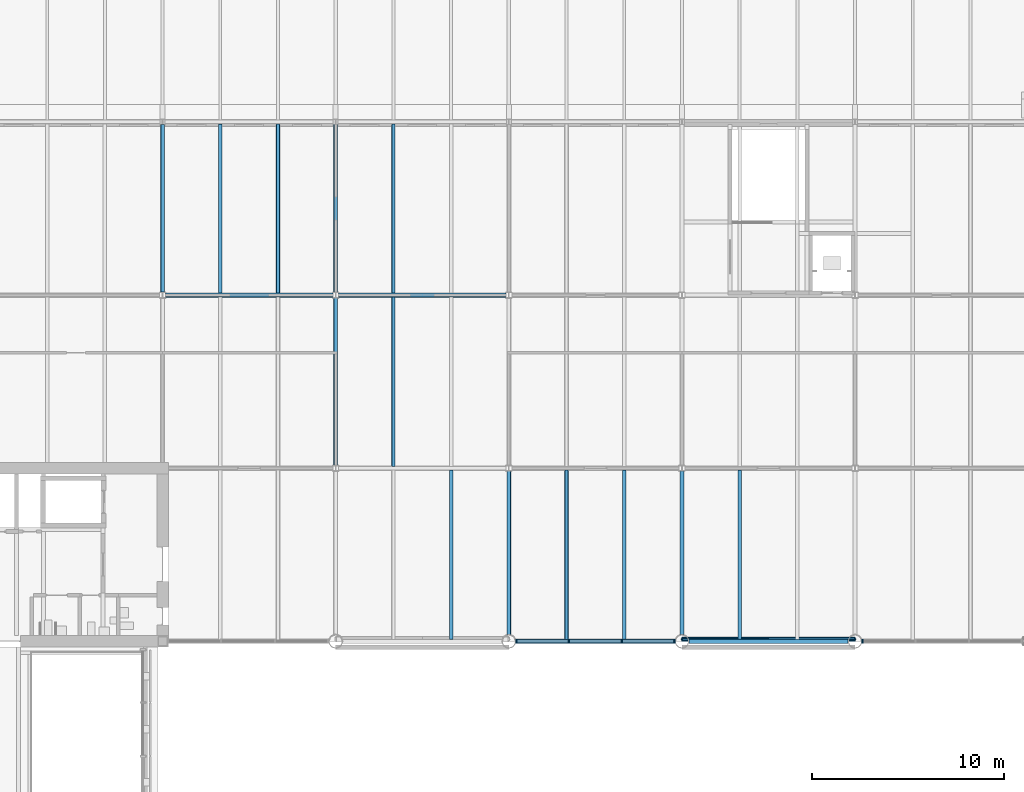
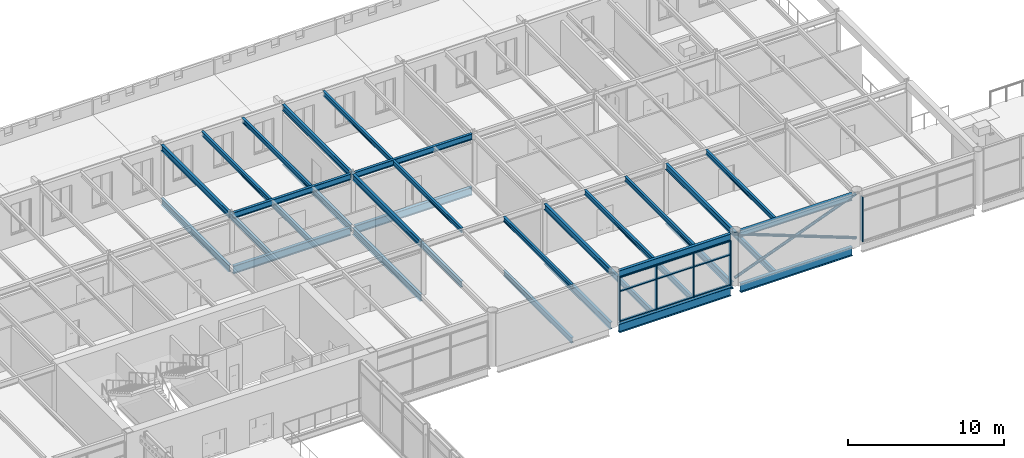
# One storey, part 36 of 123: 34 beams, 16 members, 2 elements without a shape of their own.
"""IFC4 building model written with IfcOpenShell, lengths in metres."""

from ifc_helpers import new_model, si_unit, direction, frame, origin, origin_2d, place, context, subcontext, project, spatial, rectangle, hollow_circle, i_section, extrude, material, material_profile, profile_set, type_object, element, aggregate, save


model = new_model("IFC4")

# Units and contexts
model_context = context("Model", 3, precision=1e-05, world=origin(), true_north=direction((0.0, 1.0)))
body_context = subcontext(model_context, "Body", "Model", "MODEL_VIEW")
ifc_project = project(units=[si_unit("LENGTHUNIT", "METRE"), si_unit("AREAUNIT", "SQUARE_METRE"), si_unit("VOLUMEUNIT", "CUBIC_METRE"), si_unit("PLANEANGLEUNIT", "RADIAN"), si_unit("MASSUNIT", "GRAM", prefix="KILO")], contexts=[model_context])

# Site, building, storey
site_placement = place(None, origin())
site = spatial("IfcSite", under=ifc_project, at=site_placement, CompositionType="ELEMENT")
building_placement = place(site_placement, origin())
building = spatial("IfcBuilding", under=site, at=building_placement, Name="Baradari Gate Terminus", CompositionType="ELEMENT")
storey_placement = place(building_placement, frame((0.0, 0.0, 7.5)))
storey = spatial("IfcBuildingStorey", under=building, at=storey_placement, Name="L01", CompositionType="ELEMENT", Elevation=7.5)

# Members
ifc_material_1 = material(Name="Steel S355", Category="steel")
ifc_material_profile_1 = material_profile(ifc_material_1, hollow_circle(Radius=0.109619140625, WallThickness=0.012451171875, at=origin_2d()), Name="CHS 219.1x12.5")
ifc_profile_set_1 = profile_set([ifc_material_profile_1], Name="Steel S355")
member_type_1 = type_object("IfcMemberType", Name="Column bracing X04 CHS 219.1x12.5", PredefinedType="BRACE", material=ifc_profile_set_1)
for number, where, z_axis, x_axis, name in (
    (1, (117.0, 81.10009765625, 0.35009765625), (0.933747810426, 0.0, 0.357931594757), (0.0, 1.0, 0.0), "Column bracing 14-15 line K L01"),
    (2, (126.0, 81.10009765625, 0.35009765625), (-0.933747810426, 0.0, 0.357931594757), (0.0, -1.0, 0.0), "Column bracing 14-15 line K L01"),
):
    element("IfcMember", number, at=place(storey_placement, frame(where, z_axis=z_axis, x_axis=x_axis)), inside=storey, type_object=member_type_1, Name=name, PredefinedType="BRACE", context=body_context, shape_type="SweptSolid", body=[
        extrude(hollow_circle(Radius=0.109619140625, WallThickness=0.012451171875, at=origin_2d()), origin(), (0.0, 0.0, 1.0), 9.638671875),
    ])

# Curtain wall, members
ifc_material_2 = material(Name="Aluminium 6063-T6", Category="aluminium")
curtain_wall_type = type_object("IfcCurtainWallType", Name="Curtain wall CW-13 concourse gallery glazing", PredefinedType="NOTDEFINED", material=ifc_material_2)
curtain_wall_1_placement = place(storey_placement, origin())
curtain_wall_1 = element("IfcCurtainWall", 3, at=curtain_wall_1_placement, inside=storey, type_object=curtain_wall_type, Name="Glazed curtain wall CW-13 HS bay 13 L01", PredefinedType="NOTDEFINED")
ifc_material_3 = material(Name="Aluminium 6063-T6", Category="aluminium")
ifc_material_profile_2 = material_profile(ifc_material_3, rectangle(XDim=0.22509765625, YDim=0.080078125, at=origin_2d()), Name="CM-13 80X225")
ifc_profile_set_2 = profile_set([ifc_material_profile_2], Name="Aluminium 6063-T6")
member_type_2 = type_object("IfcMemberType", Name="Curtain wall mullion CM-13 80x225", PredefinedType="MULLION", material=ifc_profile_set_2)
member_1_placement = place(storey_placement, frame((108.3955078125, 81.0, 0.0), z_axis=(0.0, 0.0, 1.0), x_axis=(0.0, 1.0, 0.0)))
member_1 = element("IfcMember", 4, at=member_1_placement, type_object=member_type_2, Name="CW-13 mullion 1", PredefinedType="MULLION", context=body_context, shape_type="SweptSolid", body=[
    extrude(rectangle(XDim=0.22509765625, YDim=0.080078125, at=origin_2d()), origin(), (0.0, 0.0, 1.0), 3.516845703125),
])
member_2_placement = place(storey_placement, frame((111.118408203125, 81.0, 0.0), z_axis=(0.0, 0.0, 1.0), x_axis=(0.0, 1.0, 0.0)))
member_2 = element("IfcMember", 5, at=member_2_placement, type_object=member_type_2, Name="CW-13 mullion 2", PredefinedType="MULLION", context=body_context, shape_type="SweptSolid", body=[
    extrude(rectangle(XDim=0.22509765625, YDim=0.080078125, at=origin_2d()), origin(), (0.0, 0.0, 1.0), 3.516845703125),
])
member_3_placement = place(storey_placement, frame((113.881591796875, 81.0, 0.0), z_axis=(0.0, 0.0, 1.0), x_axis=(0.0, 1.0, 0.0)))
member_3 = element("IfcMember", 6, at=member_3_placement, type_object=member_type_2, Name="CW-13 mullion 3", PredefinedType="MULLION", context=body_context, shape_type="SweptSolid", body=[
    extrude(rectangle(XDim=0.22509765625, YDim=0.080078125, at=origin_2d()), origin(), (0.0, 0.0, 1.0), 3.516845703125),
])
member_4_placement = place(storey_placement, frame((116.6044921875, 81.0, 0.0), z_axis=(0.0, 0.0, 1.0), x_axis=(0.0, 1.0, 0.0)))
member_4 = element("IfcMember", 7, at=member_4_placement, type_object=member_type_2, Name="CW-13 mullion 4", PredefinedType="MULLION", context=body_context, shape_type="SweptSolid", body=[
    extrude(rectangle(XDim=0.22509765625, YDim=0.080078125, at=origin_2d()), origin(), (0.0, 0.0, 1.0), 3.516845703125),
])

# Curtain wall, member
curtain_wall_2_placement = place(storey_placement, origin())
curtain_wall_2 = element("IfcCurtainWall", 8, at=curtain_wall_2_placement, inside=storey, type_object=curtain_wall_type, Name="Glazed curtain wall CW-13 HS bay 15 L01", PredefinedType="NOTDEFINED")
member_5_placement = place(storey_placement, frame((126.3955078125, 81.0, 0.0), z_axis=(0.0, 0.0, 1.0), x_axis=(0.0, 1.0, 0.0)))
member_5 = element("IfcMember", 9, at=member_5_placement, type_object=member_type_2, Name="CW-13 mullion 1", PredefinedType="MULLION", context=body_context, shape_type="SweptSolid", body=[
    extrude(rectangle(XDim=0.22509765625, YDim=0.080078125, at=origin_2d()), origin(), (0.0, 0.0, 1.0), 3.516845703125),
])
aggregate(curtain_wall_2, [member_5])

# Member
ifc_material_4 = material(Name="Aluminium 6063-T6", Category="aluminium")
ifc_material_profile_3 = material_profile(ifc_material_4, rectangle(XDim=0.159912109375, YDim=0.080078125, at=origin_2d()), Name="CT-13 80X160")
ifc_profile_set_3 = profile_set([ifc_material_profile_3], Name="Aluminium 6063-T6")
member_type_3 = type_object("IfcMemberType", Name="Curtain wall transom CT-13 80x160", PredefinedType="USERDEFINED", material=ifc_profile_set_3)
member_6_placement = place(storey_placement, frame((108.435546875, 81.0, 0.0400390625), z_axis=(1.0, 0.0, 0.0), x_axis=(0.0, 1.0, 0.0)))
member_6 = element("IfcMember", 10, at=member_6_placement, type_object=member_type_3, Name="CW-13 transom 1.1", ObjectType="TRANSOM", PredefinedType="USERDEFINED", context=body_context, shape_type="SweptSolid", body=[
    extrude(rectangle(XDim=0.159912109375, YDim=0.080078125, at=origin_2d()), origin(), (0.0, 0.0, 1.0), 2.64306640625),
])

member_7_placement = place(storey_placement, frame((108.435546875, 81.0, 2.39990234375), z_axis=(1.0, 0.0, 0.0), x_axis=(0.0, 1.0, 0.0)))
member_7 = element("IfcMember", 11, at=member_7_placement, type_object=member_type_3, Name="CW-13 transom 1.2", ObjectType="TRANSOM", PredefinedType="USERDEFINED", context=body_context, shape_type="SweptSolid", body=[
    extrude(rectangle(XDim=0.159912109375, YDim=0.080078125, at=origin_2d()), origin(), (0.0, 0.0, 1.0), 2.64306640625),
])

member_8_placement = place(storey_placement, frame((108.435546875, 81.0, 3.476806640625), z_axis=(1.0, 0.0, 0.0), x_axis=(0.0, 1.0, 0.0)))
member_8 = element("IfcMember", 12, at=member_8_placement, type_object=member_type_3, Name="CW-13 transom 1.3", ObjectType="TRANSOM", PredefinedType="USERDEFINED", context=body_context, shape_type="SweptSolid", body=[
    extrude(rectangle(XDim=0.159912109375, YDim=0.080078125, at=origin_2d()), origin(), (0.0, 0.0, 1.0), 2.64306640625),
])

member_9_placement = place(storey_placement, frame((111.158447265625, 81.0, 0.0400390625), z_axis=(1.0, 0.0, 0.0), x_axis=(0.0, 1.0, 0.0)))
member_9 = element("IfcMember", 13, at=member_9_placement, type_object=member_type_3, Name="CW-13 transom 2.1", ObjectType="TRANSOM", PredefinedType="USERDEFINED", context=body_context, shape_type="SweptSolid", body=[
    extrude(rectangle(XDim=0.159912109375, YDim=0.080078125, at=origin_2d()), origin(), (0.0, 0.0, 1.0), 2.68310546875),
])

member_10_placement = place(storey_placement, frame((111.158447265625, 81.0, 2.39990234375), z_axis=(1.0, 0.0, 0.0), x_axis=(0.0, 1.0, 0.0)))
member_10 = element("IfcMember", 14, at=member_10_placement, type_object=member_type_3, Name="CW-13 transom 2.2", ObjectType="TRANSOM", PredefinedType="USERDEFINED", context=body_context, shape_type="SweptSolid", body=[
    extrude(rectangle(XDim=0.159912109375, YDim=0.080078125, at=origin_2d()), origin(), (0.0, 0.0, 1.0), 2.68310546875),
])

member_11_placement = place(storey_placement, frame((111.158447265625, 81.0, 3.476806640625), z_axis=(1.0, 0.0, 0.0), x_axis=(0.0, 1.0, 0.0)))
member_11 = element("IfcMember", 15, at=member_11_placement, type_object=member_type_3, Name="CW-13 transom 2.3", ObjectType="TRANSOM", PredefinedType="USERDEFINED", context=body_context, shape_type="SweptSolid", body=[
    extrude(rectangle(XDim=0.159912109375, YDim=0.080078125, at=origin_2d()), origin(), (0.0, 0.0, 1.0), 2.68310546875),
])

member_12_placement = place(storey_placement, frame((113.92138671875, 81.0, 0.0400390625), z_axis=(1.0, 0.0, 0.0), x_axis=(0.0, 1.0, 0.0)))
member_12 = element("IfcMember", 16, at=member_12_placement, type_object=member_type_3, Name="CW-13 transom 3.1", ObjectType="TRANSOM", PredefinedType="USERDEFINED", context=body_context, shape_type="SweptSolid", body=[
    extrude(rectangle(XDim=0.159912109375, YDim=0.080078125, at=origin_2d()), origin(), (0.0, 0.0, 1.0), 2.64306640625),
])

member_13_placement = place(storey_placement, frame((113.92138671875, 81.0, 2.39990234375), z_axis=(1.0, 0.0, 0.0), x_axis=(0.0, 1.0, 0.0)))
member_13 = element("IfcMember", 17, at=member_13_placement, type_object=member_type_3, Name="CW-13 transom 3.2", ObjectType="TRANSOM", PredefinedType="USERDEFINED", context=body_context, shape_type="SweptSolid", body=[
    extrude(rectangle(XDim=0.159912109375, YDim=0.080078125, at=origin_2d()), origin(), (0.0, 0.0, 1.0), 2.64306640625),
])

member_14_placement = place(storey_placement, frame((113.92138671875, 81.0, 3.476806640625), z_axis=(1.0, 0.0, 0.0), x_axis=(0.0, 1.0, 0.0)))
member_14 = element("IfcMember", 18, at=member_14_placement, type_object=member_type_3, Name="CW-13 transom 3.3", ObjectType="TRANSOM", PredefinedType="USERDEFINED", context=body_context, shape_type="SweptSolid", body=[
    extrude(rectangle(XDim=0.159912109375, YDim=0.080078125, at=origin_2d()), origin(), (0.0, 0.0, 1.0), 2.64306640625),
])

aggregate(curtain_wall_1, [member_1, member_2, member_3, member_4, member_6, member_7, member_8, member_9, member_10, member_11, member_12, member_13, member_14])

# Beams
ifc_material_5 = material(Name="Steel S355", Category="steel")
ifc_material_profile_4 = material_profile(ifc_material_5, i_section(OverallWidth=0.210693359375, OverallDepth=0.53955078125, WebThickness=0.01171875, FlangeThickness=0.018798828125, FilletRadius=0.0126953125, at=origin_2d()), Name="UB 533x210x109")
ifc_profile_set_4 = profile_set([ifc_material_profile_4], Name="Steel S355")
beam_type_1 = type_object("IfcBeamType", Name="Head-house cross girder B12 UB 533x210x109", PredefinedType="BEAM", material=ifc_profile_set_4)
beam_1_placement = place(storey_placement, frame((90.0, 99.1572265625, -0.399658203125), z_axis=(0.0, 1.0, 0.0), x_axis=(-1.0, 0.0, 0.0)))
element("IfcBeam", 19, at=beam_1_placement, inside=storey, type_object=beam_type_1, Name="Head-house cross girder B12 11:99.157-107.87 L01", PredefinedType="BEAM", context=body_context, shape_type="SweptSolid", body=[
    extrude(i_section(OverallWidth=0.210693359375, OverallDepth=0.53955078125, WebThickness=0.01171875, FlangeThickness=0.018798828125, FilletRadius=0.0126953125, at=origin_2d()), origin(), (0.0, 0.0, 1.0), 8.712646484375),
])
beam_2_placement = place(storey_placement, frame((99.0, 90.1572265625, -0.399658203125), z_axis=(0.0, 1.0, 0.0), x_axis=(-1.0, 0.0, 0.0)))
element("IfcBeam", 20, at=beam_2_placement, inside=storey, type_object=beam_type_1, Name="Head-house cross girder B12 12:90.157-98.843 L01", PredefinedType="BEAM", context=body_context, shape_type="SweptSolid", body=[
    extrude(i_section(OverallWidth=0.210693359375, OverallDepth=0.53955078125, WebThickness=0.01171875, FlangeThickness=0.018798828125, FilletRadius=0.0126953125, at=origin_2d()), origin(), (0.0, 0.0, 1.0), 8.685546875),
])
beam_3_placement = place(storey_placement, frame((99.0, 99.1572265625, -0.399658203125), z_axis=(0.0, 1.0, 0.0), x_axis=(-1.0, 0.0, 0.0)))
element("IfcBeam", 21, at=beam_3_placement, inside=storey, type_object=beam_type_1, Name="Head-house cross girder B12 12:99.157-107.87 L01", PredefinedType="BEAM", context=body_context, shape_type="SweptSolid", body=[
    extrude(i_section(OverallWidth=0.210693359375, OverallDepth=0.53955078125, WebThickness=0.01171875, FlangeThickness=0.018798828125, FilletRadius=0.0126953125, at=origin_2d()), origin(), (0.0, 0.0, 1.0), 8.712646484375),
])
for number, where, z_axis, x_axis, name in (
    (22, (108.0, 81.35546875, -0.399658203125), (0.0, 1.0, 0.0), (-1.0, 0.0, 0.0), "Head-house cross girder B12 13:81.356-89.843 L01"),
    (23, (117.0, 81.35546875, -0.399658203125), (0.0, 1.0, 0.0), (-1.0, 0.0, 0.0), "Head-house cross girder B12 14:81.356-89.843 L01"),
):
    element("IfcBeam", number, at=place(storey_placement, frame(where, z_axis=z_axis, x_axis=x_axis)), inside=storey, type_object=beam_type_1, Name=name, PredefinedType="BEAM", context=body_context, shape_type="SweptSolid", body=[
        extrude(i_section(OverallWidth=0.210693359375, OverallDepth=0.53955078125, WebThickness=0.01171875, FlangeThickness=0.018798828125, FilletRadius=0.0126953125, at=origin_2d()), origin(), (0.0, 0.0, 1.0), 8.4873046875),
    ])
ifc_material_6 = material(Name="Steel S355", Category="steel")
ifc_material_profile_5 = material_profile(ifc_material_6, i_section(OverallWidth=0.2529296875, OverallDepth=0.677978515625, WebThickness=0.01171875, FlangeThickness=0.01611328125, FilletRadius=0.01513671875, at=origin_2d()), Name="UB 686x254x125")
ifc_profile_set_5 = profile_set([ifc_material_profile_5], Name="Steel S355")
beam_type_2 = type_object("IfcBeamType", Name="Head-house edge girder B07 UB 686x254x125", PredefinedType="BEAM", material=ifc_profile_set_5)
for number, where, z_axis, x_axis, name in (
    (24, (108.35546875, 81.0, -0.468994140625), (1.0, 0.0, 0.0), (0.0, 1.0, 0.0), "Head-house edge girder B07 K:108.356-116.644 L01"),
    (25, (117.35546875, 81.0, -0.468994140625), (1.0, 0.0, 0.0), (0.0, 1.0, 0.0), "Head-house edge girder B07 K:117.356-125.644 L01"),
):
    element("IfcBeam", number, at=place(storey_placement, frame(where, z_axis=z_axis, x_axis=x_axis)), inside=storey, type_object=beam_type_2, Name=name, PredefinedType="BEAM", context=body_context, shape_type="SweptSolid", body=[
        extrude(i_section(OverallWidth=0.2529296875, OverallDepth=0.677978515625, WebThickness=0.01171875, FlangeThickness=0.01611328125, FilletRadius=0.01513671875, at=origin_2d()), origin(), (0.0, 0.0, 1.0), 8.2890625),
    ])
ifc_material_7 = material(Name="Steel S355", Category="steel")
ifc_material_profile_6 = material_profile(ifc_material_7, i_section(OverallWidth=0.22900390625, OverallDepth=0.6123046875, WebThickness=0.011962890625, FlangeThickness=0.01953125, FilletRadius=0.0126953125, at=origin_2d()), Name="UB 610x229x125")
ifc_profile_set_6 = profile_set([ifc_material_profile_6], Name="Steel S355")
beam_type_3 = type_object("IfcBeamType", Name="Head-house girder B09 UB 610x229x125", PredefinedType="BEAM", material=ifc_profile_set_6)
for number, where, z_axis, x_axis, name in (
    (26, (90.15380859375, 99.0, -0.43603515625), (1.0, 0.0, 0.0), (0.0, 1.0, 0.0), "Head-house girder B09 M:90.154-98.846 L01"),
    (27, (99.15380859375, 99.0, -0.43603515625), (1.0, 0.0, 0.0), (0.0, 1.0, 0.0), "Head-house girder B09 M:99.154-107.846 L01"),
):
    element("IfcBeam", number, at=place(storey_placement, frame(where, z_axis=z_axis, x_axis=x_axis)), inside=storey, type_object=beam_type_3, Name=name, PredefinedType="BEAM", context=body_context, shape_type="SweptSolid", body=[
        extrude(i_section(OverallWidth=0.22900390625, OverallDepth=0.6123046875, WebThickness=0.011962890625, FlangeThickness=0.01953125, FilletRadius=0.0126953125, at=origin_2d()), origin(), (0.0, 0.0, 1.0), 8.6923828125),
    ])
ifc_material_8 = material(Name="Steel S355", Category="steel")
ifc_material_profile_7 = material_profile(ifc_material_8, i_section(OverallWidth=0.1904296875, OverallDepth=0.45703125, WebThickness=0.009033203125, FlangeThickness=0.014404296875, FilletRadius=0.01025390625, at=origin_2d()), Name="UB 457x191x74")
ifc_profile_set_7 = profile_set([ifc_material_profile_7], Name="Steel S355")
beam_type_4 = type_object("IfcBeamType", Name="Head-house roof cross girder B51 UB 457x191x74", PredefinedType="BEAM", material=ifc_profile_set_7)
beam_4_placement = place(storey_placement, frame((90.0, 99.1572265625, 3.821533203125), z_axis=(0.0, 1.0, 0.0), x_axis=(-1.0, 0.0, 0.0)))
element("IfcBeam", 28, at=beam_4_placement, inside=storey, type_object=beam_type_4, Name="Head-house roof cross girder B51 11:99.157-107.87 L01", PredefinedType="BEAM", context=body_context, shape_type="SweptSolid", body=[
    extrude(i_section(OverallWidth=0.1904296875, OverallDepth=0.45703125, WebThickness=0.009033203125, FlangeThickness=0.014404296875, FilletRadius=0.01025390625, at=origin_2d()), origin(), (0.0, 0.0, 1.0), 8.712646484375),
])
beam_5_placement = place(storey_placement, frame((99.0, 90.1572265625, 3.821533203125), z_axis=(0.0, 1.0, 0.0), x_axis=(-1.0, 0.0, 0.0)))
element("IfcBeam", 29, at=beam_5_placement, inside=storey, type_object=beam_type_4, Name="Head-house roof cross girder B51 12:90.157-98.843 L01", PredefinedType="BEAM", context=body_context, shape_type="SweptSolid", body=[
    extrude(i_section(OverallWidth=0.1904296875, OverallDepth=0.45703125, WebThickness=0.009033203125, FlangeThickness=0.014404296875, FilletRadius=0.01025390625, at=origin_2d()), origin(), (0.0, 0.0, 1.0), 8.685546875),
])
beam_6_placement = place(storey_placement, frame((99.0, 99.1572265625, 3.821533203125), z_axis=(0.0, 1.0, 0.0), x_axis=(-1.0, 0.0, 0.0)))
element("IfcBeam", 30, at=beam_6_placement, inside=storey, type_object=beam_type_4, Name="Head-house roof cross girder B51 12:99.157-107.87 L01", PredefinedType="BEAM", context=body_context, shape_type="SweptSolid", body=[
    extrude(i_section(OverallWidth=0.1904296875, OverallDepth=0.45703125, WebThickness=0.009033203125, FlangeThickness=0.014404296875, FilletRadius=0.01025390625, at=origin_2d()), origin(), (0.0, 0.0, 1.0), 8.712646484375),
])
for number, where, z_axis, x_axis, name in (
    (31, (108.0, 81.35546875, 3.821533203125), (0.0, 1.0, 0.0), (-1.0, 0.0, 0.0), "Head-house roof cross girder B51 13:81.356-89.843 L01"),
    (32, (117.0, 81.35546875, 3.821533203125), (0.0, 1.0, 0.0), (-1.0, 0.0, 0.0), "Head-house roof cross girder B51 14:81.356-89.843 L01"),
):
    element("IfcBeam", number, at=place(storey_placement, frame(where, z_axis=z_axis, x_axis=x_axis)), inside=storey, type_object=beam_type_4, Name=name, PredefinedType="BEAM", context=body_context, shape_type="SweptSolid", body=[
        extrude(i_section(OverallWidth=0.1904296875, OverallDepth=0.45703125, WebThickness=0.009033203125, FlangeThickness=0.014404296875, FilletRadius=0.01025390625, at=origin_2d()), origin(), (0.0, 0.0, 1.0), 8.4873046875),
    ])
ifc_material_9 = material(Name="Steel S355", Category="steel")
ifc_material_profile_8 = material_profile(ifc_material_9, i_section(OverallWidth=0.209228515625, OverallDepth=0.533203125, WebThickness=0.010009765625, FlangeThickness=0.015625, FilletRadius=0.0126953125, at=origin_2d()), Name="UB 533x210x92")
ifc_profile_set_8 = profile_set([ifc_material_profile_8], Name="Steel S355")
beam_type_5 = type_object("IfcBeamType", Name="Head-house roof edge girder B48 UB 533x210x92", PredefinedType="BEAM", material=ifc_profile_set_8)
for number, where, z_axis, x_axis, name in (
    (33, (108.35546875, 81.0, 3.783447265625), (1.0, 0.0, 0.0), (0.0, 1.0, 0.0), "Head-house roof edge girder B48 K:108.356-116.644 L01"),
    (34, (117.35546875, 81.0, 3.783447265625), (1.0, 0.0, 0.0), (0.0, 1.0, 0.0), "Head-house roof edge girder B48 K:117.356-125.644 L01"),
):
    element("IfcBeam", number, at=place(storey_placement, frame(where, z_axis=z_axis, x_axis=x_axis)), inside=storey, type_object=beam_type_5, Name=name, PredefinedType="BEAM", context=body_context, shape_type="SweptSolid", body=[
        extrude(i_section(OverallWidth=0.209228515625, OverallDepth=0.533203125, WebThickness=0.010009765625, FlangeThickness=0.015625, FilletRadius=0.0126953125, at=origin_2d()), origin(), (0.0, 0.0, 1.0), 8.2890625),
    ])
ifc_material_10 = material(Name="Steel S355", Category="steel")
ifc_material_profile_9 = material_profile(ifc_material_10, i_section(OverallWidth=0.19140625, OverallDepth=0.4599609375, WebThickness=0.010009765625, FlangeThickness=0.01611328125, FilletRadius=0.01025390625, at=origin_2d()), Name="UB 457x191x82")
ifc_profile_set_9 = profile_set([ifc_material_profile_9], Name="Steel S355")
beam_type_6 = type_object("IfcBeamType", Name="Head-house roof girder B49 UB 457x191x82", PredefinedType="BEAM", material=ifc_profile_set_9)
for number, where, z_axis, x_axis, name in (
    (35, (90.15380859375, 99.0, 3.820068359375), (1.0, 0.0, 0.0), (0.0, 1.0, 0.0), "Head-house roof girder B49 M:90.154-98.846 L01"),
    (36, (99.15380859375, 99.0, 3.820068359375), (1.0, 0.0, 0.0), (0.0, 1.0, 0.0), "Head-house roof girder B49 M:99.154-107.846 L01"),
):
    element("IfcBeam", number, at=place(storey_placement, frame(where, z_axis=z_axis, x_axis=x_axis)), inside=storey, type_object=beam_type_6, Name=name, PredefinedType="BEAM", context=body_context, shape_type="SweptSolid", body=[
        extrude(i_section(OverallWidth=0.19140625, OverallDepth=0.4599609375, WebThickness=0.010009765625, FlangeThickness=0.01611328125, FilletRadius=0.01025390625, at=origin_2d()), origin(), (0.0, 0.0, 1.0), 8.6923828125),
    ])
ifc_material_11 = material(Name="Steel S355", Category="steel")
ifc_material_profile_10 = material_profile(ifc_material_11, i_section(OverallWidth=0.17138671875, OverallDepth=0.35498046875, WebThickness=0.00732421875, FlangeThickness=0.011474609375, FilletRadius=0.01025390625, at=origin_2d()), Name="UB 356x171x51")
ifc_profile_set_10 = profile_set([ifc_material_profile_10], Name="Steel S355")
beam_type_7 = type_object("IfcBeamType", Name="Head-house roof secondary beam B50 UB 356x171x51", PredefinedType="BEAM", material=ifc_profile_set_10)
for number, where, z_axis, x_axis, name in (
    (37, (93.0, 99.095703125, 3.87255859375), (0.0, 1.0, 0.0), (-1.0, 0.0, 0.0), "Head-house roof secondary beam B50 93:99.096-107.895 L01"),
    (38, (96.0, 99.095703125, 3.87255859375), (0.0, 1.0, 0.0), (-1.0, 0.0, 0.0), "Head-house roof secondary beam B50 96:99.096-107.895 L01"),
):
    element("IfcBeam", number, at=place(storey_placement, frame(where, z_axis=z_axis, x_axis=x_axis)), inside=storey, type_object=beam_type_7, Name=name, PredefinedType="BEAM", context=body_context, shape_type="SweptSolid", body=[
        extrude(i_section(OverallWidth=0.17138671875, OverallDepth=0.35498046875, WebThickness=0.00732421875, FlangeThickness=0.011474609375, FilletRadius=0.01025390625, at=origin_2d()), origin(), (0.0, 0.0, 1.0), 8.799560546875),
    ])
beam_7_placement = place(storey_placement, frame((102.0, 90.095703125, 3.87255859375), z_axis=(0.0, 1.0, 0.0), x_axis=(-1.0, 0.0, 0.0)))
element("IfcBeam", 39, at=beam_7_placement, inside=storey, type_object=beam_type_7, Name="Head-house roof secondary beam B50 102:90.096-98.904 L01", PredefinedType="BEAM", context=body_context, shape_type="SweptSolid", body=[
    extrude(i_section(OverallWidth=0.17138671875, OverallDepth=0.35498046875, WebThickness=0.00732421875, FlangeThickness=0.011474609375, FilletRadius=0.01025390625, at=origin_2d()), origin(), (0.0, 0.0, 1.0), 8.80859375),
])
for number, where, z_axis, x_axis, name in (
    (40, (102.0, 99.095703125, 3.87255859375), (0.0, 1.0, 0.0), (-1.0, 0.0, 0.0), "Head-house roof secondary beam B50 102:99.096-107.895 L01"),
    (41, (105.0, 81.104736328125, 3.87255859375), (0.0, 1.0, 0.0), (-1.0, 0.0, 0.0), "Head-house roof secondary beam B50 105:81.105-89.904 L01"),
    (42, (111.0, 81.104736328125, 3.87255859375), (0.0, 1.0, 0.0), (-1.0, 0.0, 0.0), "Head-house roof secondary beam B50 111:81.105-89.904 L01"),
    (43, (114.0, 81.104736328125, 3.87255859375), (0.0, 1.0, 0.0), (-1.0, 0.0, 0.0), "Head-house roof secondary beam B50 114:81.105-89.904 L01"),
    (44, (120.0, 81.104736328125, 3.87255859375), (0.0, 1.0, 0.0), (-1.0, 0.0, 0.0), "Head-house roof secondary beam B50 120:81.105-89.904 L01"),
):
    element("IfcBeam", number, at=place(storey_placement, frame(where, z_axis=z_axis, x_axis=x_axis)), inside=storey, type_object=beam_type_7, Name=name, PredefinedType="BEAM", context=body_context, shape_type="SweptSolid", body=[
        extrude(i_section(OverallWidth=0.17138671875, OverallDepth=0.35498046875, WebThickness=0.00732421875, FlangeThickness=0.011474609375, FilletRadius=0.01025390625, at=origin_2d()), origin(), (0.0, 0.0, 1.0), 8.799560546875),
    ])
ifc_material_12 = material(Name="Steel S355", Category="steel")
ifc_material_profile_11 = material_profile(ifc_material_12, i_section(OverallWidth=0.18994140625, OverallDepth=0.453369140625, WebThickness=0.008544921875, FlangeThickness=0.0126953125, FilletRadius=0.01025390625, at=origin_2d()), Name="UB 457x191x67")
ifc_profile_set_11 = profile_set([ifc_material_profile_11], Name="Steel S355")
beam_type_8 = type_object("IfcBeamType", Name="Head-house secondary beam B11 UB 457x191x67", PredefinedType="BEAM", material=ifc_profile_set_11)
for number, where, z_axis, x_axis, name in (
    (45, (93.0, 99.114501953125, -0.356689453125), (0.0, 1.0, 0.0), (-1.0, 0.0, 0.0), "Head-house secondary beam B11 93:99.115-107.874 L01"),
    (46, (96.0, 99.114501953125, -0.356689453125), (0.0, 1.0, 0.0), (-1.0, 0.0, 0.0), "Head-house secondary beam B11 96:99.115-107.874 L01"),
):
    element("IfcBeam", number, at=place(storey_placement, frame(where, z_axis=z_axis, x_axis=x_axis)), inside=storey, type_object=beam_type_8, Name=name, PredefinedType="BEAM", context=body_context, shape_type="SweptSolid", body=[
        extrude(i_section(OverallWidth=0.18994140625, OverallDepth=0.453369140625, WebThickness=0.008544921875, FlangeThickness=0.0126953125, FilletRadius=0.01025390625, at=origin_2d()), origin(), (0.0, 0.0, 1.0), 8.759033203125),
    ])
beam_8_placement = place(storey_placement, frame((102.0, 90.114501953125, -0.356689453125), z_axis=(0.0, 1.0, 0.0), x_axis=(-1.0, 0.0, 0.0)))
element("IfcBeam", 47, at=beam_8_placement, inside=storey, type_object=beam_type_8, Name="Head-house secondary beam B11 102:90.115-98.885 L01", PredefinedType="BEAM", context=body_context, shape_type="SweptSolid", body=[
    extrude(i_section(OverallWidth=0.18994140625, OverallDepth=0.453369140625, WebThickness=0.008544921875, FlangeThickness=0.0126953125, FilletRadius=0.01025390625, at=origin_2d()), origin(), (0.0, 0.0, 1.0), 8.77099609375),
])
for number, where, z_axis, x_axis, name in (
    (48, (102.0, 99.114501953125, -0.356689453125), (0.0, 1.0, 0.0), (-1.0, 0.0, 0.0), "Head-house secondary beam B11 102:99.115-107.874 L01"),
    (49, (105.0, 81.12646484375, -0.356689453125), (0.0, 1.0, 0.0), (-1.0, 0.0, 0.0), "Head-house secondary beam B11 105:81.126-89.885 L01"),
    (50, (111.0, 81.12646484375, -0.356689453125), (0.0, 1.0, 0.0), (-1.0, 0.0, 0.0), "Head-house secondary beam B11 111:81.126-89.885 L01"),
    (51, (114.0, 81.12646484375, -0.356689453125), (0.0, 1.0, 0.0), (-1.0, 0.0, 0.0), "Head-house secondary beam B11 114:81.126-89.885 L01"),
    (52, (120.0, 81.12646484375, -0.356689453125), (0.0, 1.0, 0.0), (-1.0, 0.0, 0.0), "Head-house secondary beam B11 120:81.126-89.885 L01"),
):
    element("IfcBeam", number, at=place(storey_placement, frame(where, z_axis=z_axis, x_axis=x_axis)), inside=storey, type_object=beam_type_8, Name=name, PredefinedType="BEAM", context=body_context, shape_type="SweptSolid", body=[
        extrude(i_section(OverallWidth=0.18994140625, OverallDepth=0.453369140625, WebThickness=0.008544921875, FlangeThickness=0.0126953125, FilletRadius=0.01025390625, at=origin_2d()), origin(), (0.0, 0.0, 1.0), 8.759033203125),
    ])

save(model, "model.ifc")
